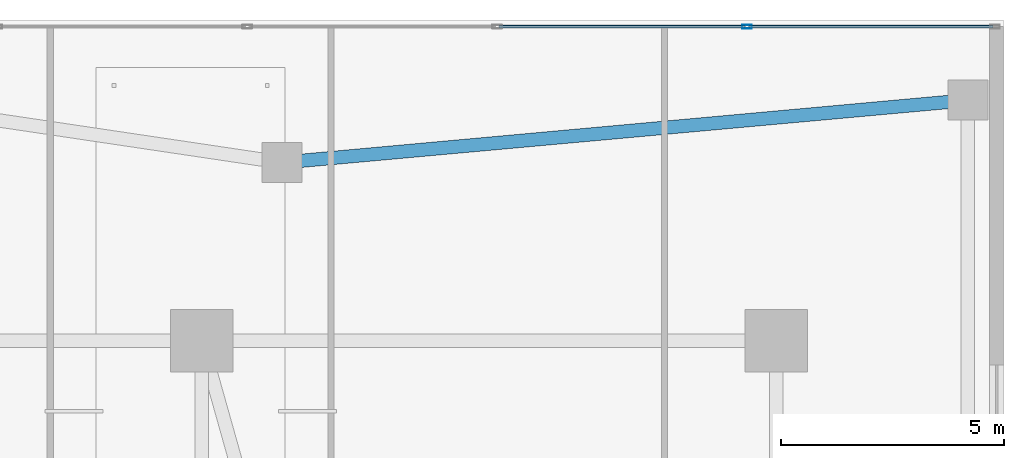
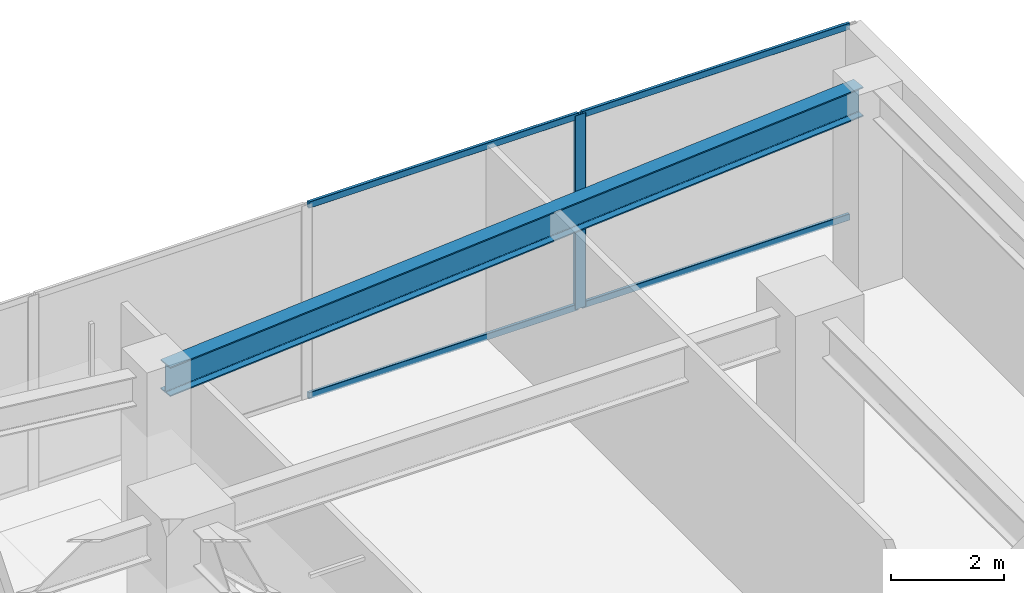
# One storey, part 14 of 29: 5 members, 1 beam, 1 element without a shape of its own.
"""IFC4 building model written with IfcOpenShell, lengths in metres."""

from ifc_helpers import new_model, si_unit, direction, frame, origin, origin_2d, place, context, subcontext, project, spatial, hollow_rectangle, i_section, extrude, material, layer, layer_set, material_profile, profile_set, type_object, element, aggregate, save


model = new_model("IFC4")

# Units and contexts
model_context = context("Model", 3, precision=1e-05, world=origin(), true_north=direction((0.0, 1.0)))
body_context = subcontext(model_context, "Body", "Model", "MODEL_VIEW")
ifc_project = project(units=[si_unit("LENGTHUNIT", "METRE"), si_unit("AREAUNIT", "SQUARE_METRE"), si_unit("VOLUMEUNIT", "CUBIC_METRE"), si_unit("PLANEANGLEUNIT", "RADIAN"), si_unit("MASSUNIT", "GRAM", prefix="KILO")], contexts=[model_context])

# Site, building, storey
site_placement = place(None, origin())
site = spatial("IfcSite", under=ifc_project, at=site_placement, CompositionType="ELEMENT")
building_placement = place(site_placement, origin())
building = spatial("IfcBuilding", under=site, at=building_placement, Name="Tarnavaz Court Tower", CompositionType="ELEMENT")
storey_placement = place(building_placement, frame((0.0, 0.0, 5.39990234375)))
storey = spatial("IfcBuildingStorey", under=building, at=storey_placement, Name="L01", CompositionType="ELEMENT", Elevation=5.39990234375)

# Beam
ifc_material_1 = material(Name="Steel S355", Category="steel")
ifc_material_profile_1 = material_profile(ifc_material_1, i_section(OverallWidth=0.300048828125, OverallDepth=0.639892578125, WebThickness=0.013427734375, FlangeThickness=0.02587890625, FilletRadius=0.027099609375, at=origin_2d()), Name="HEA 650")
ifc_profile_set_1 = profile_set([ifc_material_profile_1], Name="Steel S355")
beam_type = type_object("IfcBeamType", Name="BM-SP-HEA650", PredefinedType="SPANDREL", material=ifc_profile_set_1)
beam_placement = place(storey_placement, frame((16.999267578125, 26.818115234375, 3.880126953125), z_axis=(0.995893206468, 0.090535746043, 0.0), x_axis=(-0.090535746043, 0.995893206468, 0.0)))
element("IfcBeam", 1, at=beam_placement, inside=storey, type_object=beam_type, Name="L01 Beam PR-POD-N3-POD-NE1", PredefinedType="SPANDREL", context=body_context, shape_type="SweptSolid", body=[
    extrude(i_section(OverallWidth=0.300048828125, OverallDepth=0.639892578125, WebThickness=0.013427734375, FlangeThickness=0.02587890625, FilletRadius=0.027099609375, at=origin_2d()), origin(), (0.0, 0.0, 1.0), 15.063232421875),
])

# Curtain wall, members
ifc_material_2 = material(Name="Anodised Aluminium 6063-T6 and Solar Low-E Glazing", Category="aluminium")
ifc_layer = layer(ifc_material_2, 0.18994140625)
ifc_layer_set = layer_set([ifc_layer], Name="Anodised Aluminium 6063-T6 and Solar Low-E Glazing")
curtain_wall_type = type_object("IfcCurtainWallType", Name="CW-SYS-01", PredefinedType="NOTDEFINED", material=ifc_layer_set)
curtain_wall_placement = place(storey_placement, origin())
curtain_wall = element("IfcCurtainWall", 2, at=curtain_wall_placement, inside=storey, type_object=curtain_wall_type, Name="L01 Clinic Podium Curtain Wall 1", PredefinedType="NOTDEFINED")
ifc_material_3 = material(Name="Anodised Aluminium 6063-T6", Category="aluminium")
ifc_material_profile_2 = material_profile(ifc_material_3, hollow_rectangle(XDim=0.0849609375, YDim=0.219970703125, WallThickness=0.006103515625, InnerFilletRadius=0.006103515625, OuterFilletRadius=0.011962890625, at=origin_2d()), Name="ALU RHS 220X85X6")
ifc_profile_set_2 = profile_set([ifc_material_profile_2], Name="Anodised Aluminium 6063-T6")
member_type_1 = type_object("IfcMemberType", Name="CW-MUL-220", PredefinedType="MULLION", material=ifc_profile_set_2)
member_1_placement = place(storey_placement, frame((27.240966796875, 29.85009765625, 0.0), z_axis=(0.0, 0.0, 1.0), x_axis=(0.0, 1.0, 0.0)))
member_1 = element("IfcMember", 3, at=member_1_placement, type_object=member_type_1, Name="CW mullion 11", PredefinedType="MULLION", context=body_context, shape_type="SweptSolid", body=[
    extrude(hollow_rectangle(XDim=0.0849609375, YDim=0.219970703125, WallThickness=0.006103515625, InnerFilletRadius=0.006103515625, OuterFilletRadius=0.011962890625, at=origin_2d()), origin(), (0.0, 0.0, 1.0), 4.2001953125),
])
ifc_material_profile_3 = material_profile(ifc_material_3, hollow_rectangle(XDim=0.06494140625, YDim=0.139892578125, WallThickness=0.00390625, InnerFilletRadius=0.00390625, OuterFilletRadius=0.008056640625, at=origin_2d()), Name="ALU RHS 140X65X4")
ifc_profile_set_3 = profile_set([ifc_material_profile_3], Name="Anodised Aluminium 6063-T6")
member_type_2 = type_object("IfcMemberType", Name="CW-TRN-140", PredefinedType="USERDEFINED", material=ifc_profile_set_3)
member_2_placement = place(storey_placement, frame((21.67431640625, 29.85009765625, 0.03271484375), z_axis=(1.0, 0.0, 0.0), x_axis=(0.0, 1.0, 0.0)))
member_2 = element("IfcMember", 4, at=member_2_placement, type_object=member_type_2, Name="CW transom 10.1", ObjectType="TRANSOM", PredefinedType="USERDEFINED", context=body_context, shape_type="SweptSolid", body=[
    extrude(hollow_rectangle(XDim=0.06494140625, YDim=0.139892578125, WallThickness=0.00390625, InnerFilletRadius=0.00390625, OuterFilletRadius=0.008056640625, at=origin_2d()), origin(), (0.0, 0.0, 1.0), 5.524169921875),
])
member_3_placement = place(storey_placement, frame((21.67431640625, 29.85009765625, 4.16748046875), z_axis=(1.0, 0.0, 0.0), x_axis=(0.0, 1.0, 0.0)))
member_3 = element("IfcMember", 5, at=member_3_placement, type_object=member_type_2, Name="CW transom 10.2", ObjectType="TRANSOM", PredefinedType="USERDEFINED", context=body_context, shape_type="SweptSolid", body=[
    extrude(hollow_rectangle(XDim=0.06494140625, YDim=0.139892578125, WallThickness=0.00390625, InnerFilletRadius=0.00390625, OuterFilletRadius=0.008056640625, at=origin_2d()), origin(), (0.0, 0.0, 1.0), 5.524169921875),
])
member_4_placement = place(storey_placement, frame((27.283447265625, 29.85009765625, 0.03271484375), z_axis=(1.0, 0.0, 0.0), x_axis=(0.0, 1.0, 0.0)))
member_4 = element("IfcMember", 6, at=member_4_placement, type_object=member_type_2, Name="CW transom 11.1", ObjectType="TRANSOM", PredefinedType="USERDEFINED", context=body_context, shape_type="SweptSolid", body=[
    extrude(hollow_rectangle(XDim=0.06494140625, YDim=0.139892578125, WallThickness=0.00390625, InnerFilletRadius=0.00390625, OuterFilletRadius=0.008056640625, at=origin_2d()), origin(), (0.0, 0.0, 1.0), 5.4814453125),
])
member_5_placement = place(storey_placement, frame((27.283447265625, 29.85009765625, 4.16748046875), z_axis=(1.0, 0.0, 0.0), x_axis=(0.0, 1.0, 0.0)))
member_5 = element("IfcMember", 7, at=member_5_placement, type_object=member_type_2, Name="CW transom 11.2", ObjectType="TRANSOM", PredefinedType="USERDEFINED", context=body_context, shape_type="SweptSolid", body=[
    extrude(hollow_rectangle(XDim=0.06494140625, YDim=0.139892578125, WallThickness=0.00390625, InnerFilletRadius=0.00390625, OuterFilletRadius=0.008056640625, at=origin_2d()), origin(), (0.0, 0.0, 1.0), 5.4814453125),
])
aggregate(curtain_wall, [member_1, member_2, member_3, member_4, member_5])

save(model, "model.ifc")
